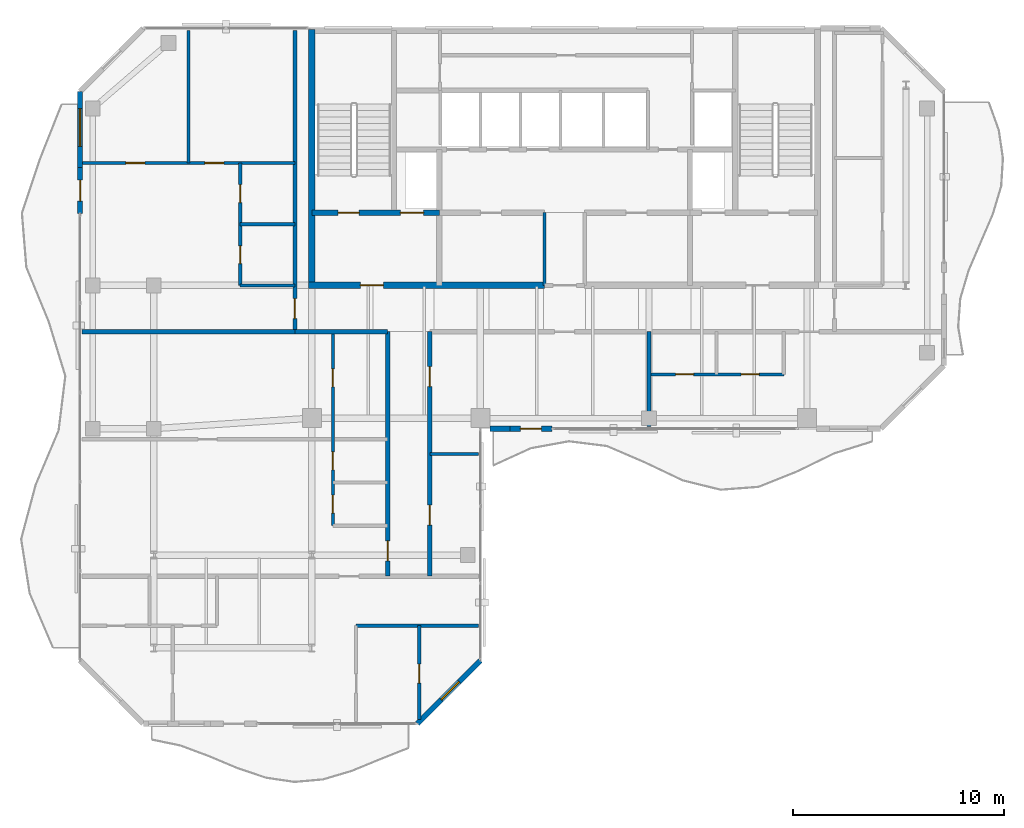
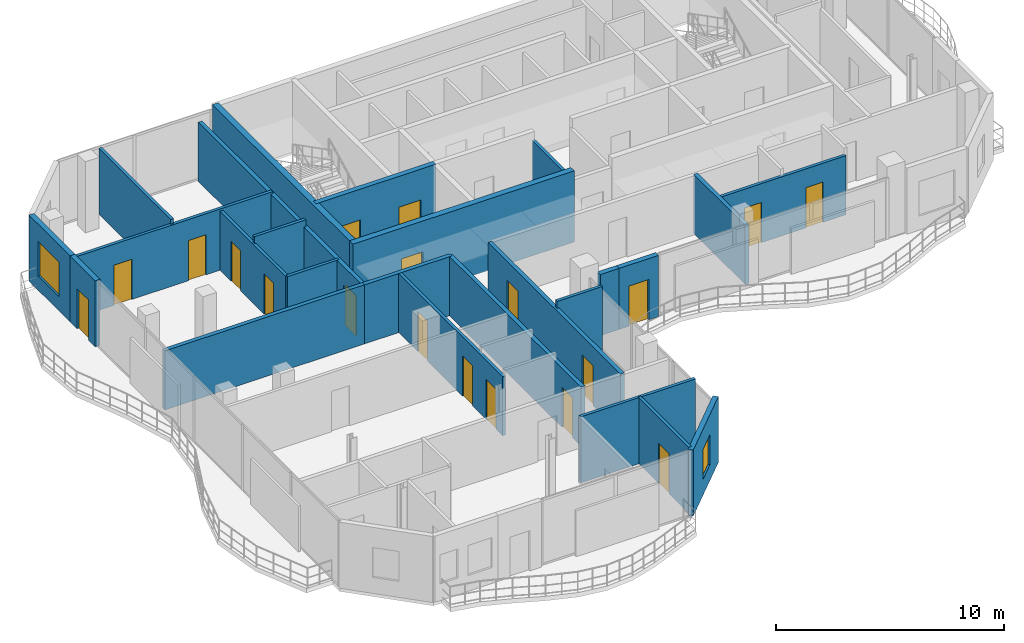
# One storey, part 18 of 22: 25 walls, 19 doors, 2 windows, 21 openings.
"""IFC4 building model written with IfcOpenShell, lengths in metres."""

from ifc_helpers import new_model, si_unit, direction, frame, frame_2d, origin, place, context, subcontext, project, spatial, rectangle, extrude, material, layer, layer_set, type_object, element, fill, save


model = new_model("IFC4")

# Units and contexts
model_context = context("Model", 3, precision=1e-05, world=origin(), true_north=direction((0.0, 1.0)))
body_context = subcontext(model_context, "Body", "Model", "MODEL_VIEW")
ifc_project = project(units=[si_unit("LENGTHUNIT", "METRE"), si_unit("AREAUNIT", "SQUARE_METRE"), si_unit("VOLUMEUNIT", "CUBIC_METRE"), si_unit("PLANEANGLEUNIT", "RADIAN"), si_unit("MASSUNIT", "GRAM", prefix="KILO")], contexts=[model_context])

# Site, building, storey
site_placement = place(None, origin())
site = spatial("IfcSite", under=ifc_project, at=site_placement, CompositionType="ELEMENT")
building_placement = place(site_placement, origin())
building = spatial("IfcBuilding", under=site, at=building_placement, Name="Catumbela Crestline Tower", CompositionType="ELEMENT")
storey_placement = place(building_placement, frame((0.0, 0.0, 256.4)))
storey = spatial("IfcBuildingStorey", under=building, at=storey_placement, Name="L66", CompositionType="ELEMENT", Elevation=256.4)

# Wall, openings, doors
ifc_material_1 = material(Name="Concrete C50/60", Category="concrete")
ifc_layer_1 = layer(ifc_material_1, 0.25, Name="Concrete C50/60")
ifc_layer_set_1 = layer_set([ifc_layer_1], Name="Concrete C50/60")
wall_type_1 = type_object("IfcWallType", Name="CW-250D", PredefinedType="SHEAR", material=ifc_layer_set_1)
wall_1_placement = place(storey_placement, frame((16.0, 34.25, 0.0), z_axis=(0.0, 0.0, 1.0), x_axis=(1.0, 0.0, 0.0)))
wall_1 = element("IfcWall", 1, at=wall_1_placement, inside=storey, type_object=wall_type_1, Name="L66 Structural Core Shear Wall ST1S", PredefinedType="SHEAR", context=body_context, shape_type="SweptSolid", body=[
    extrude(rectangle(XDim=6.05, YDim=0.25, at=frame_2d((3.025, 0.0))), origin(), (0.0, 0.0, 1.0), 3.8),
])
opening_1_placement = place(wall_1_placement, frame((1.25, 0.0, 0.0)))
opening_1 = element("IfcOpeningElement", 2, at=opening_1_placement, cuts=wall_1, Name="Opening DF9-100", PredefinedType="OPENING", context=body_context, shape_type="SweptSolid", body=[
    extrude(rectangle(XDim=1.0, YDim=2.15, at=frame_2d((0.5, 1.075))), frame((0.0, 0.135, 0.0), z_axis=(0.0, -1.0, 0.0), x_axis=(1.0, 0.0, 0.0)), (0.0, 0.0, 1.0), 0.27),
])
opening_2_placement = place(wall_1_placement, frame((4.2, 0.0, 0.0)))
opening_2 = element("IfcOpeningElement", 3, at=opening_2_placement, cuts=wall_1, Name="Opening LD-110", PredefinedType="OPENING", context=body_context, shape_type="SweptSolid", body=[
    extrude(rectangle(XDim=1.1, YDim=2.15, at=frame_2d((0.55, 1.075))), frame((0.0, 0.135, 0.0), z_axis=(0.0, -1.0, 0.0), x_axis=(1.0, 0.0, 0.0)), (0.0, 0.0, 1.0), 0.27),
])
ifc_material_2 = material(Name="Stainless steel EN 1.4401", Category="steel")
door_type_1 = type_object("IfcDoorType", Name="DF9-100", OperationType="NOTDEFINED", PredefinedType="DOOR", material=ifc_material_2)
door_1_placement = place(opening_1_placement, origin())
door_1 = element("IfcDoor", 4, at=door_1_placement, inside=storey, type_object=door_type_1, Name="L66 Interior Door DR-L66-ST01", OperationType="SINGLE_SWING_LEFT", OverallHeight=2.15, OverallWidth=1.0, PredefinedType="DOOR", context=body_context, shape_type="SweptSolid", body=[
    extrude(rectangle(XDim=1.0, YDim=2.15, at=frame_2d((0.5, 1.075))), frame((0.0, 0.025, 0.0), z_axis=(0.0, -1.0, 0.0), x_axis=(1.0, 0.0, 0.0)), (0.0, 0.0, 1.0), 0.05),
])
fill(opening_1, door_1)
door_type_2 = type_object("IfcDoorType", Name="LD-110", OperationType="NOTDEFINED", PredefinedType="DOOR", material=ifc_material_2)
door_2_placement = place(opening_2_placement, origin())
door_2 = element("IfcDoor", 5, at=door_2_placement, inside=storey, type_object=door_type_2, Name="L66 Lift Landing Sliding Door FL-01", OperationType="DOUBLE_DOOR_SLIDING", OverallHeight=2.15, OverallWidth=1.1, PredefinedType="DOOR", context=body_context, shape_type="SweptSolid", body=[
    extrude(rectangle(XDim=1.1, YDim=2.15, at=frame_2d((0.55, 1.075))), frame((0.0, 0.025, 0.0), z_axis=(0.0, -1.0, 0.0), x_axis=(1.0, 0.0, 0.0)), (0.0, 0.0, 1.0), 0.05),
])
fill(opening_2, door_2)

# Wall
ifc_material_3 = material(Name="Concrete C45/55", Category="concrete")
ifc_layer_2 = layer(ifc_material_3, 0.3, Name="Concrete C45/55")
ifc_layer_set_2 = layer_set([ifc_layer_2], Name="Concrete C45/55")
wall_type_2 = type_object("IfcWallType", Name="CW-300C", PredefinedType="SHEAR", material=ifc_layer_set_2)
wall_2_placement = place(storey_placement, frame((16.0, 30.65, 0.0), z_axis=(0.0, 0.0, 1.0), x_axis=(0.0, 1.0, 0.0)))
element("IfcWall", 6, at=wall_2_placement, inside=storey, type_object=wall_type_2, Name="L66 Structural Core Shear Wall W", PredefinedType="SHEAR", context=body_context, shape_type="SweptSolid", body=[
    extrude(rectangle(XDim=12.3, YDim=0.3, at=frame_2d((6.15, 0.0))), origin(), (0.0, 0.0, 1.0), 3.8),
])

# Wall, opening, door
wall_3_placement = place(storey_placement, frame((15.85, 30.8, 0.0), z_axis=(0.0, 0.0, 1.0), x_axis=(1.0, 0.0, 0.0)))
wall_3 = element("IfcWall", 7, at=wall_3_placement, inside=storey, type_object=wall_type_2, Name="L66 Structural Core Shear Wall SW", PredefinedType="SHEAR", context=body_context, shape_type="SweptSolid", body=[
    extrude(rectangle(XDim=11.2, YDim=0.3, at=frame_2d((5.6, 0.0))), origin(), (0.0, 0.0, 1.0), 3.8),
])
opening_3_placement = place(wall_3_placement, frame((2.45, 0.0, 0.0)))
opening_3 = element("IfcOpeningElement", 8, at=opening_3_placement, cuts=wall_3, Name="Opening DF9-110", PredefinedType="OPENING", context=body_context, shape_type="SweptSolid", body=[
    extrude(rectangle(XDim=1.1, YDim=2.15, at=frame_2d((0.55, 1.075))), frame((0.0, 0.16, 0.0), z_axis=(0.0, -1.0, 0.0), x_axis=(1.0, 0.0, 0.0)), (0.0, 0.0, 1.0), 0.32),
])
door_type_3 = type_object("IfcDoorType", Name="DF9-110", OperationType="NOTDEFINED", PredefinedType="DOOR", material=ifc_material_2)
door_3_placement = place(opening_3_placement, origin())
door_3 = element("IfcDoor", 9, at=door_3_placement, inside=storey, type_object=door_type_3, Name="L66 Interior Door DR-L66-FFW-S", OperationType="SINGLE_SWING_LEFT", OverallHeight=2.15, OverallWidth=1.1, PredefinedType="DOOR", context=body_context, shape_type="SweptSolid", body=[
    extrude(rectangle(XDim=1.1, YDim=2.15, at=frame_2d((0.55, 1.075))), frame((0.0, 0.025, 0.0), z_axis=(0.0, -1.0, 0.0), x_axis=(1.0, 0.0, 0.0)), (0.0, 0.0, 1.0), 0.05),
])
fill(opening_3, door_3)

# Wall
ifc_material_4 = material(Name="Acoustic gypsum and mineral-wool partition")
ifc_layer_3 = layer(ifc_material_4, 0.2, Name="Acoustic gypsum and mineral-wool partition")
ifc_layer_set_3 = layer_set([ifc_layer_3], Name="Acoustic gypsum and mineral-wool partition")
wall_type_3 = type_object("IfcWallType", Name="WC-200", PredefinedType="PARTITIONING", material=ifc_layer_set_3)
wall_4_placement = place(storey_placement, frame((15.2, 28.6, 0.0), z_axis=(0.0, 0.0, 1.0), x_axis=(1.0, 0.0, 0.0)))
element("IfcWall", 10, at=wall_4_placement, inside=storey, type_object=wall_type_3, Name="L66 Interior Partition PW-L66-RCWL", PredefinedType="PARTITIONING", context=body_context, shape_type="SweptSolid", body=[
    extrude(rectangle(XDim=4.4, YDim=0.2, at=frame_2d((2.2, 0.0))), origin(), (0.0, 0.0, 1.0), 3.16),
])

# Wall, opening, door
wall_5_placement = place(storey_placement, frame((15.2, 28.6, 0.0), z_axis=(0.0, 0.0, 1.0), x_axis=(0.0, 1.0, 0.0)))
wall_5 = element("IfcWall", 11, at=wall_5_placement, inside=storey, type_object=wall_type_3, Name="L66 Interior Partition PW-L66-NW1-ENT", PredefinedType="PARTITIONING", context=body_context, shape_type="SweptSolid", body=[
    extrude(rectangle(XDim=14.3, YDim=0.2, at=frame_2d((7.15, 0.0))), origin(), (0.0, 0.0, 1.0), 3.16),
])
opening_4_placement = place(wall_5_placement, frame((0.625, 0.0, 0.0)))
opening_4 = element("IfcOpeningElement", 12, at=opening_4_placement, cuts=wall_5, Name="Opening DF6-095", PredefinedType="OPENING", context=body_context, shape_type="SweptSolid", body=[
    extrude(rectangle(XDim=0.95, YDim=2.15, at=frame_2d((0.475, 1.075))), frame((0.0, 0.11, 0.0), z_axis=(0.0, -1.0, 0.0), x_axis=(1.0, 0.0, 0.0)), (0.0, 0.0, 1.0), 0.22),
])
ifc_material_5 = material(Name="Aluminium alloy AW-6060-T66", Category="aluminium")
door_type_4 = type_object("IfcDoorType", Name="DF6-095", OperationType="NOTDEFINED", PredefinedType="DOOR", material=ifc_material_5)
door_4_placement = place(opening_4_placement, origin())
door_4 = element("IfcDoor", 13, at=door_4_placement, inside=storey, type_object=door_type_4, Name="L66 Interior Door DR-L66-NW1-ENT", OperationType="SINGLE_SWING_LEFT", OverallHeight=2.15, OverallWidth=0.95, PredefinedType="DOOR", context=body_context, shape_type="SweptSolid", body=[
    extrude(rectangle(XDim=0.95, YDim=2.15, at=frame_2d((0.475, 1.075))), frame((0.0, 0.025, 0.0), z_axis=(0.0, -1.0, 0.0), x_axis=(1.0, 0.0, 0.0)), (0.0, 0.0, 1.0), 0.05),
])
fill(opening_4, door_4)

wall_6_placement = place(storey_placement, frame((19.6, 17.0, 0.0), z_axis=(0.0, 0.0, 1.0), x_axis=(0.0, 1.0, 0.0)))
wall_6 = element("IfcWall", 14, at=wall_6_placement, inside=storey, type_object=wall_type_3, Name="L66 Interior Partition PW-L66-WL1-ENT", PredefinedType="PARTITIONING", context=body_context, shape_type="SweptSolid", body=[
    extrude(rectangle(XDim=11.6, YDim=0.2, at=frame_2d((5.8, 0.0))), origin(), (0.0, 0.0, 1.0), 3.16),
])
opening_5_placement = place(wall_6_placement, frame((0.723, 0.0, 0.0)))
opening_5 = element("IfcOpeningElement", 15, at=opening_5_placement, cuts=wall_6, Name="Opening DF6-095", PredefinedType="OPENING", context=body_context, shape_type="SweptSolid", body=[
    extrude(rectangle(XDim=0.95, YDim=2.15, at=frame_2d((0.475, 1.075))), frame((0.0, 0.11, 0.0), z_axis=(0.0, -1.0, 0.0), x_axis=(1.0, 0.0, 0.0)), (0.0, 0.0, 1.0), 0.22),
])
door_5_placement = place(opening_5_placement, origin())
door_5 = element("IfcDoor", 16, at=door_5_placement, inside=storey, type_object=door_type_4, Name="L66 Interior Door DR-L66-WL1-ENT", OperationType="SINGLE_SWING_LEFT", OverallHeight=2.15, OverallWidth=0.95, PredefinedType="DOOR", context=body_context, shape_type="SweptSolid", body=[
    extrude(rectangle(XDim=0.95, YDim=2.15, at=frame_2d((0.475, 1.075))), frame((0.0, 0.025, 0.0), z_axis=(0.0, -1.0, 0.0), x_axis=(1.0, 0.0, 0.0)), (0.0, 0.0, 1.0), 0.05),
])
fill(opening_5, door_5)

# Wall, openings, doors
wall_7_placement = place(storey_placement, frame((21.6, 17.0, 0.0), z_axis=(0.0, 0.0, 1.0), x_axis=(0.0, 1.0, 0.0)))
wall_7 = element("IfcWall", 17, at=wall_7_placement, inside=storey, type_object=wall_type_3, Name="L66 Interior Partition PW-L66-RWMT-ENT", PredefinedType="PARTITIONING", context=body_context, shape_type="SweptSolid", body=[
    extrude(rectangle(XDim=11.6, YDim=0.2, at=frame_2d((5.8, 0.0))), origin(), (0.0, 0.0, 1.0), 3.16),
])
opening_6_placement = place(wall_7_placement, frame((8.9941, 0.0, 0.0)))
opening_6 = element("IfcOpeningElement", 18, at=opening_6_placement, cuts=wall_7, Name="Opening DF6-095", PredefinedType="OPENING", context=body_context, shape_type="SweptSolid", body=[
    extrude(rectangle(XDim=0.95, YDim=2.15, at=frame_2d((0.475, 1.075))), frame((0.0, 0.11, 0.0), z_axis=(0.0, -1.0, 0.0), x_axis=(1.0, 0.0, 0.0)), (0.0, 0.0, 1.0), 0.22),
])
opening_7_placement = place(wall_7_placement, frame((2.425, 0.0, 0.0)))
opening_7 = element("IfcOpeningElement", 19, at=opening_7_placement, cuts=wall_7, Name="Opening DF6-095", PredefinedType="OPENING", context=body_context, shape_type="SweptSolid", body=[
    extrude(rectangle(XDim=0.95, YDim=2.15, at=frame_2d((0.475, 1.075))), frame((0.0, 0.11, 0.0), z_axis=(0.0, -1.0, 0.0), x_axis=(1.0, 0.0, 0.0)), (0.0, 0.0, 1.0), 0.22),
])
door_6_placement = place(opening_6_placement, origin())
door_6 = element("IfcDoor", 20, at=door_6_placement, inside=storey, type_object=door_type_4, Name="L66 Interior Door DR-L66-RWMT-ENT", OperationType="SINGLE_SWING_LEFT", OverallHeight=2.15, OverallWidth=0.95, PredefinedType="DOOR", context=body_context, shape_type="SweptSolid", body=[
    extrude(rectangle(XDim=0.95, YDim=2.15, at=frame_2d((0.475, 1.075))), frame((0.0, 0.025, 0.0), z_axis=(0.0, -1.0, 0.0), x_axis=(1.0, 0.0, 0.0)), (0.0, 0.0, 1.0), 0.05),
])
fill(opening_6, door_6)
door_7_placement = place(opening_7_placement, origin())
door_7 = element("IfcDoor", 21, at=door_7_placement, inside=storey, type_object=door_type_4, Name="L66 Interior Door DR-L66-RWLN-ENT", OperationType="SINGLE_SWING_RIGHT", OverallHeight=2.15, OverallWidth=0.95, PredefinedType="DOOR", context=body_context, shape_type="SweptSolid", body=[
    extrude(rectangle(XDim=0.95, YDim=2.15, at=frame_2d((0.475, 1.075))), frame((0.0, 0.025, 0.0), z_axis=(0.0, -1.0, 0.0), x_axis=(1.0, 0.0, 0.0)), (0.0, 0.0, 1.0), 0.05),
])
fill(opening_7, door_7)

# Wall, opening, window
ifc_material_6 = material(Name="Angolan grey-ochre granite", Category="masonry")
ifc_layer_4 = layer(ifc_material_6, 0.25, Name="Angolan grey-ochre granite")
ifc_layer_set_4 = layer_set([ifc_layer_4], Name="Angolan grey-ochre granite")
wall_type_4 = type_object("IfcWallType", Name="WE-250", PredefinedType="STANDARD", material=ifc_layer_set_4)
wall_8_placement = place(storey_placement, frame((21.0, 10.0, 0.0), z_axis=(0.0, 0.0, 1.0), x_axis=(0.707106781187, 0.707106781187, 0.0)))
wall_8 = element("IfcWall", 22, at=wall_8_placement, inside=storey, type_object=wall_type_4, Name="L66 Granite Punched Window Wall 1-1", PredefinedType="STANDARD", context=body_context, shape_type="SweptSolid", body=[
    extrude(rectangle(XDim=4.2426, YDim=0.25, at=frame_2d((2.1213, 0.0))), origin(), (0.0, 0.0, 1.0), 3.53),
])
opening_8_placement = place(wall_8_placement, frame((1.6173, 0.0, 0.85)))
opening_8 = element("IfcOpeningElement", 23, at=opening_8_placement, cuts=wall_8, Name="Opening WN-02", PredefinedType="OPENING", context=body_context, shape_type="SweptSolid", body=[
    extrude(rectangle(XDim=1.2, YDim=1.6, at=frame_2d((0.6, 0.8))), frame((0.0, 0.135, 0.0), z_axis=(0.0, -1.0, 0.0), x_axis=(1.0, 0.0, 0.0)), (0.0, 0.0, 1.0), 0.27),
])
ifc_material_7 = material(Name="Low-E laminated solar-control double glazing", Category="glass")
window_type_1 = type_object("IfcWindowType", Name="WO-1200", PartitioningType="SINGLE_PANEL", PredefinedType="WINDOW", material=ifc_material_7)
window_1_placement = place(opening_8_placement, origin())
window_1 = element("IfcWindow", 24, at=window_1_placement, inside=storey, type_object=window_type_1, Name="L66 Facade Vision Window 506", OverallHeight=1.6, OverallWidth=1.2, PartitioningType="SINGLE_PANEL", PredefinedType="WINDOW", context=body_context, shape_type="SweptSolid", body=[
    extrude(rectangle(XDim=1.2, YDim=1.6, at=frame_2d((0.6, 0.8))), frame((0.0, 0.03, 0.0), z_axis=(0.0, -1.0, 0.0), x_axis=(1.0, 0.0, 0.0)), (0.0, 0.0, 1.0), 0.06),
])
fill(opening_8, window_1)

# Wall, opening, door
wall_9_placement = place(storey_placement, frame((25.4, 24.0, 0.0), z_axis=(0.0, 0.0, 1.0), x_axis=(1.0, 0.0, 0.0)))
wall_9 = element("IfcWall", 25, at=wall_9_placement, inside=storey, type_object=wall_type_4, Name="L66 Exterior Threshold Portal Wall DR-L66-WBAL-1", PredefinedType="STANDARD", context=body_context, shape_type="SweptSolid", body=[
    extrude(rectangle(XDim=2.0, YDim=0.25, at=frame_2d((1.0, 0.0))), origin(), (0.0, 0.0, 1.0), 3.27),
])
opening_9_placement = place(wall_9_placement, frame((0.5, 0.0, 0.0)))
opening_9 = element("IfcOpeningElement", 26, at=opening_9_placement, cuts=wall_9, Name="Opening DB-L66-1", PredefinedType="OPENING", context=body_context, shape_type="SweptSolid", body=[
    extrude(rectangle(XDim=1.0, YDim=2.15, at=frame_2d((0.5, 1.075))), frame((0.0, 0.135, 0.0), z_axis=(0.0, -1.0, 0.0), x_axis=(1.0, 0.0, 0.0)), (0.0, 0.0, 1.0), 0.27),
])
door_type_5 = type_object("IfcDoorType", Name="DB-1000", OperationType="NOTDEFINED", PredefinedType="DOOR", material=ifc_material_5)
door_8_placement = place(opening_9_placement, origin())
door_8 = element("IfcDoor", 27, at=door_8_placement, inside=storey, type_object=door_type_5, Name="L66 Wave Balcony Terrace Door 1", OperationType="SINGLE_SWING_RIGHT", OverallHeight=2.15, OverallWidth=1.0, PredefinedType="DOOR", context=body_context, shape_type="SweptSolid", body=[
    extrude(rectangle(XDim=1.0, YDim=2.15, at=frame_2d((0.5, 1.075))), frame((0.0, 0.025, 0.0), z_axis=(0.0, -1.0, 0.0), x_axis=(1.0, 0.0, 0.0)), (0.0, 0.0, 1.0), 0.05),
])
fill(opening_9, door_8)

# Wall
wall_10_placement = place(storey_placement, frame((24.45, 24.0, 0.0), z_axis=(0.0, 0.0, 1.0), x_axis=(1.0, 0.0, 0.0)))
element("IfcWall", 28, at=wall_10_placement, inside=storey, type_object=wall_type_4, Name="L66 Granite Punched Window Wall 3-1", PredefinedType="STANDARD", context=body_context, shape_type="SweptSolid", body=[
    extrude(rectangle(XDim=0.95, YDim=0.25, at=frame_2d((0.475, 0.0))), origin(), (0.0, 0.0, 1.0), 3.27),
])

# Wall, opening, door
wall_11_placement = place(storey_placement, frame((5.0, 36.4, 0.0), z_axis=(0.0, 0.0, 1.0), x_axis=(0.0, -1.0, 0.0)))
wall_11 = element("IfcWall", 29, at=wall_11_placement, inside=storey, type_object=wall_type_4, Name="L66 Exterior Threshold Portal Wall DR-L66-WBAL-4", PredefinedType="STANDARD", context=body_context, shape_type="SweptSolid", body=[
    extrude(rectangle(XDim=2.2, YDim=0.25, at=frame_2d((1.1, 0.0))), origin(), (0.0, 0.0, 1.0), 3.53),
])
opening_10_placement = place(wall_11_placement, frame((0.6, 0.0, 0.0)))
opening_10 = element("IfcOpeningElement", 30, at=opening_10_placement, cuts=wall_11, Name="Opening DB-L66-4", PredefinedType="OPENING", context=body_context, shape_type="SweptSolid", body=[
    extrude(rectangle(XDim=1.0, YDim=2.15, at=frame_2d((0.5, 1.075))), frame((0.0, 0.135, 0.0), z_axis=(0.0, -1.0, 0.0), x_axis=(1.0, 0.0, 0.0)), (0.0, 0.0, 1.0), 0.27),
])
door_9_placement = place(opening_10_placement, origin())
door_9 = element("IfcDoor", 31, at=door_9_placement, inside=storey, type_object=door_type_5, Name="L66 Wave Balcony Terrace Door 4", OperationType="SINGLE_SWING_LEFT", OverallHeight=2.15, OverallWidth=1.0, PredefinedType="DOOR", context=body_context, shape_type="SweptSolid", body=[
    extrude(rectangle(XDim=1.0, YDim=2.15, at=frame_2d((0.5, 1.075))), frame((0.0, 0.025, 0.0), z_axis=(0.0, -1.0, 0.0), x_axis=(1.0, 0.0, 0.0)), (0.0, 0.0, 1.0), 0.05),
])
fill(opening_10, door_9)

# Wall, opening, window
wall_12_placement = place(storey_placement, frame((5.0, 40.0, 0.0), z_axis=(0.0, 0.0, 1.0), x_axis=(0.0, -1.0, 0.0)))
wall_12 = element("IfcWall", 32, at=wall_12_placement, inside=storey, type_object=wall_type_4, Name="L66 Granite Punched Window Wall 9-1", PredefinedType="STANDARD", context=body_context, shape_type="SweptSolid", body=[
    extrude(rectangle(XDim=3.6, YDim=0.25, at=frame_2d((1.8, 0.0))), origin(), (0.0, 0.0, 1.0), 3.53),
])
opening_11_placement = place(wall_12_placement, frame((0.806, 0.0, 0.75)))
opening_11 = element("IfcOpeningElement", 33, at=opening_11_placement, cuts=wall_12, Name="Opening WN-01", PredefinedType="OPENING", context=body_context, shape_type="SweptSolid", body=[
    extrude(rectangle(XDim=1.8, YDim=1.85, at=frame_2d((0.9, 0.925))), frame((0.0, 0.135, 0.0), z_axis=(0.0, -1.0, 0.0), x_axis=(1.0, 0.0, 0.0)), (0.0, 0.0, 1.0), 0.27),
])
window_type_2 = type_object("IfcWindowType", Name="WF-1800", PartitioningType="SINGLE_PANEL", PredefinedType="WINDOW", material=ifc_material_7)
window_2_placement = place(opening_11_placement, origin())
window_2 = element("IfcWindow", 34, at=window_2_placement, inside=storey, type_object=window_type_2, Name="L66 Facade Vision Window 513", OverallHeight=1.85, OverallWidth=1.8, PartitioningType="SINGLE_PANEL", PredefinedType="WINDOW", context=body_context, shape_type="SweptSolid", body=[
    extrude(rectangle(XDim=1.8, YDim=1.85, at=frame_2d((0.9, 0.925))), frame((0.0, 0.03, 0.0), z_axis=(0.0, -1.0, 0.0), x_axis=(1.0, 0.0, 0.0)), (0.0, 0.0, 1.0), 0.06),
])
fill(opening_11, window_2)

# Walls
ifc_layer_5 = layer(ifc_material_4, 0.15, Name="Acoustic gypsum and mineral-wool partition")
ifc_layer_set_5 = layer_set([ifc_layer_5], Name="Acoustic gypsum and mineral-wool partition")
wall_type_5 = type_object("IfcWallType", Name="WP-150", PredefinedType="PARTITIONING", material=ifc_layer_set_5)
wall_13_placement = place(storey_placement, frame((12.6, 30.8, 0.0), z_axis=(0.0, 0.0, 1.0), x_axis=(1.0, 0.0, 0.0)))
element("IfcWall", 35, at=wall_13_placement, inside=storey, type_object=wall_type_5, Name="L66 Interior Partition PW-L66-NW1-KBS", PredefinedType="PARTITIONING", context=body_context, shape_type="SweptSolid", body=[
    extrude(rectangle(XDim=2.6, YDim=0.15, at=frame_2d((1.3, 0.0))), origin(), (0.0, 0.0, 1.0), 3.16),
])
wall_14_placement = place(storey_placement, frame((12.6, 33.704, 0.0), z_axis=(0.0, 0.0, 1.0), x_axis=(1.0, 0.0, 0.0)))
element("IfcWall", 36, at=wall_14_placement, inside=storey, type_object=wall_type_5, Name="L66 Interior Partition PW-L66-NW1-KBM", PredefinedType="PARTITIONING", context=body_context, shape_type="SweptSolid", body=[
    extrude(rectangle(XDim=2.6, YDim=0.15, at=frame_2d((1.3, 0.0))), origin(), (0.0, 0.0, 1.0), 3.53),
])

# Wall, openings, doors
wall_15_placement = place(storey_placement, frame((5.1, 36.608, 0.0), z_axis=(0.0, 0.0, 1.0), x_axis=(1.0, 0.0, 0.0)))
wall_15 = element("IfcWall", 37, at=wall_15_placement, inside=storey, type_object=wall_type_5, Name="L66 Interior Partition PW-L66-NW1-KBN", PredefinedType="PARTITIONING", context=body_context, shape_type="SweptSolid", body=[
    extrude(rectangle(XDim=10.1, YDim=0.15, at=frame_2d((5.05, 0.0))), origin(), (0.0, 0.0, 1.0), 3.27),
])
opening_12_placement = place(wall_15_placement, frame((2.075, 0.0, 0.0)))
opening_12 = element("IfcOpeningElement", 38, at=opening_12_placement, cuts=wall_15, Name="Opening DI-090", PredefinedType="OPENING", context=body_context, shape_type="SweptSolid", body=[
    extrude(rectangle(XDim=0.9, YDim=2.15, at=frame_2d((0.45, 1.075))), frame((0.0, 0.085, 0.0), z_axis=(0.0, -1.0, 0.0), x_axis=(1.0, 0.0, 0.0)), (0.0, 0.0, 1.0), 0.17),
])
opening_13_placement = place(wall_15_placement, frame((5.825, 0.0, 0.0)))
opening_13 = element("IfcOpeningElement", 39, at=opening_13_placement, cuts=wall_15, Name="Opening DI-090", PredefinedType="OPENING", context=body_context, shape_type="SweptSolid", body=[
    extrude(rectangle(XDim=0.9, YDim=2.15, at=frame_2d((0.45, 1.075))), frame((0.0, 0.085, 0.0), z_axis=(0.0, -1.0, 0.0), x_axis=(1.0, 0.0, 0.0)), (0.0, 0.0, 1.0), 0.17),
])
door_type_6 = type_object("IfcDoorType", Name="DI-090", OperationType="NOTDEFINED", PredefinedType="DOOR", material=ifc_material_5)
door_10_placement = place(opening_12_placement, origin())
door_10 = element("IfcDoor", 40, at=door_10_placement, inside=storey, type_object=door_type_6, Name="L66 Interior Door DR-L66-NW1-BD1", OperationType="SINGLE_SWING_LEFT", OverallHeight=2.15, OverallWidth=0.9, PredefinedType="DOOR", context=body_context, shape_type="SweptSolid", body=[
    extrude(rectangle(XDim=0.9, YDim=2.15, at=frame_2d((0.45, 1.075))), frame((0.0, 0.025, 0.0), z_axis=(0.0, -1.0, 0.0), x_axis=(1.0, 0.0, 0.0)), (0.0, 0.0, 1.0), 0.05),
])
fill(opening_12, door_10)
door_11_placement = place(opening_13_placement, origin())
door_11 = element("IfcDoor", 41, at=door_11_placement, inside=storey, type_object=door_type_6, Name="L66 Interior Door DR-L66-NW1-BD2", OperationType="SINGLE_SWING_RIGHT", OverallHeight=2.15, OverallWidth=0.9, PredefinedType="DOOR", context=body_context, shape_type="SweptSolid", body=[
    extrude(rectangle(XDim=0.9, YDim=2.15, at=frame_2d((0.45, 1.075))), frame((0.0, 0.025, 0.0), z_axis=(0.0, -1.0, 0.0), x_axis=(1.0, 0.0, 0.0)), (0.0, 0.0, 1.0), 0.05),
])
fill(opening_13, door_11)

wall_16_placement = place(storey_placement, frame((12.6, 30.8, 0.0), z_axis=(0.0, 0.0, 1.0), x_axis=(0.0, 1.0, 0.0)))
wall_16 = element("IfcWall", 42, at=wall_16_placement, inside=storey, type_object=wall_type_5, Name="L66 Interior Partition PW-L66-NW1-LK", PredefinedType="PARTITIONING", context=body_context, shape_type="SweptSolid", body=[
    extrude(rectangle(XDim=5.808, YDim=0.15, at=frame_2d((2.904, 0.0))), origin(), (0.0, 0.0, 1.0), 3.16),
])
opening_14_placement = place(wall_16_placement, frame((1.027, 0.0, 0.0)))
opening_14 = element("IfcOpeningElement", 43, at=opening_14_placement, cuts=wall_16, Name="Opening DI-085", PredefinedType="OPENING", context=body_context, shape_type="SweptSolid", body=[
    extrude(rectangle(XDim=0.85, YDim=2.15, at=frame_2d((0.425, 1.075))), frame((0.0, 0.085, 0.0), z_axis=(0.0, -1.0, 0.0), x_axis=(1.0, 0.0, 0.0)), (0.0, 0.0, 1.0), 0.17),
])
opening_15_placement = place(wall_16_placement, frame((3.931, 0.0, 0.0)))
opening_15 = element("IfcOpeningElement", 44, at=opening_15_placement, cuts=wall_16, Name="Opening DI-085", PredefinedType="OPENING", context=body_context, shape_type="SweptSolid", body=[
    extrude(rectangle(XDim=0.85, YDim=2.15, at=frame_2d((0.425, 1.075))), frame((0.0, 0.085, 0.0), z_axis=(0.0, -1.0, 0.0), x_axis=(1.0, 0.0, 0.0)), (0.0, 0.0, 1.0), 0.17),
])
door_type_7 = type_object("IfcDoorType", Name="DI-085", OperationType="NOTDEFINED", PredefinedType="DOOR", material=ifc_material_5)
door_12_placement = place(opening_14_placement, origin())
door_12 = element("IfcDoor", 45, at=door_12_placement, inside=storey, type_object=door_type_7, Name="L66 Interior Door DR-L66-NW1-KIT", OperationType="SINGLE_SWING_LEFT", OverallHeight=2.15, OverallWidth=0.85, PredefinedType="DOOR", context=body_context, shape_type="SweptSolid", body=[
    extrude(rectangle(XDim=0.85, YDim=2.15, at=frame_2d((0.425, 1.075))), frame((0.0, 0.025, 0.0), z_axis=(0.0, -1.0, 0.0), x_axis=(1.0, 0.0, 0.0)), (0.0, 0.0, 1.0), 0.05),
])
fill(opening_14, door_12)
door_13_placement = place(opening_15_placement, origin())
door_13 = element("IfcDoor", 46, at=door_13_placement, inside=storey, type_object=door_type_7, Name="L66 Interior Door DR-L66-NW1-BTH", OperationType="SINGLE_SWING_RIGHT", OverallHeight=2.15, OverallWidth=0.85, PredefinedType="DOOR", context=body_context, shape_type="SweptSolid", body=[
    extrude(rectangle(XDim=0.85, YDim=2.15, at=frame_2d((0.425, 1.075))), frame((0.0, 0.025, 0.0), z_axis=(0.0, -1.0, 0.0), x_axis=(1.0, 0.0, 0.0)), (0.0, 0.0, 1.0), 0.05),
])
fill(opening_15, door_13)

# Wall
wall_17_placement = place(storey_placement, frame((10.15, 36.608, 0.0), z_axis=(0.0, 0.0, 1.0), x_axis=(0.0, 1.0, 0.0)))
element("IfcWall", 47, at=wall_17_placement, inside=storey, type_object=wall_type_5, Name="L66 Interior Partition PW-L66-NW1-BDP", PredefinedType="PARTITIONING", context=body_context, shape_type="SweptSolid", body=[
    extrude(rectangle(XDim=6.292, YDim=0.15, at=frame_2d((3.146, 0.0))), origin(), (0.0, 0.0, 1.0), 3.53),
])

# Wall, openings, doors
wall_18_placement = place(storey_placement, frame((32.0, 26.576, 0.0), z_axis=(0.0, 0.0, 1.0), x_axis=(1.0, 0.0, 0.0)))
wall_18 = element("IfcWall", 48, at=wall_18_placement, inside=storey, type_object=wall_type_5, Name="L66 Interior Partition PW-L66-S2-KBD1", PredefinedType="PARTITIONING", context=body_context, shape_type="SweptSolid", body=[
    extrude(rectangle(XDim=6.4, YDim=0.15, at=frame_2d((3.2, 0.0))), origin(), (0.0, 0.0, 1.0), 3.16),
])
opening_16_placement = place(wall_18_placement, frame((1.2663, 0.0, 0.0)))
opening_16 = element("IfcOpeningElement", 49, at=opening_16_placement, cuts=wall_18, Name="Opening DI-085", PredefinedType="OPENING", context=body_context, shape_type="SweptSolid", body=[
    extrude(rectangle(XDim=0.85, YDim=2.15, at=frame_2d((0.425, 1.075))), frame((0.0, 0.085, 0.0), z_axis=(0.0, -1.0, 0.0), x_axis=(1.0, 0.0, 0.0)), (0.0, 0.0, 1.0), 0.17),
])
opening_17_placement = place(wall_18_placement, frame((4.375, 0.0, 0.0)))
opening_17 = element("IfcOpeningElement", 50, at=opening_17_placement, cuts=wall_18, Name="Opening DI-085", PredefinedType="OPENING", context=body_context, shape_type="SweptSolid", body=[
    extrude(rectangle(XDim=0.85, YDim=2.15, at=frame_2d((0.425, 1.075))), frame((0.0, 0.085, 0.0), z_axis=(0.0, -1.0, 0.0), x_axis=(1.0, 0.0, 0.0)), (0.0, 0.0, 1.0), 0.17),
])
door_14_placement = place(opening_16_placement, origin())
door_14 = element("IfcDoor", 51, at=door_14_placement, inside=storey, type_object=door_type_7, Name="L66 Interior Door DR-L66-S2-KIT", OperationType="SINGLE_SWING_LEFT", OverallHeight=2.15, OverallWidth=0.85, PredefinedType="DOOR", context=body_context, shape_type="SweptSolid", body=[
    extrude(rectangle(XDim=0.85, YDim=2.15, at=frame_2d((0.425, 1.075))), frame((0.0, 0.025, 0.0), z_axis=(0.0, -1.0, 0.0), x_axis=(1.0, 0.0, 0.0)), (0.0, 0.0, 1.0), 0.05),
])
fill(opening_16, door_14)
door_15_placement = place(opening_17_placement, origin())
door_15 = element("IfcDoor", 52, at=door_15_placement, inside=storey, type_object=door_type_7, Name="L66 Interior Door DR-L66-S2-BTH", OperationType="SINGLE_SWING_RIGHT", OverallHeight=2.15, OverallWidth=0.85, PredefinedType="DOOR", context=body_context, shape_type="SweptSolid", body=[
    extrude(rectangle(XDim=0.85, YDim=2.15, at=frame_2d((0.425, 1.075))), frame((0.0, 0.025, 0.0), z_axis=(0.0, -1.0, 0.0), x_axis=(1.0, 0.0, 0.0)), (0.0, 0.0, 1.0), 0.05),
])
fill(opening_17, door_15)

wall_19_placement = place(storey_placement, frame((17.0, 19.396, 0.0), z_axis=(0.0, 0.0, 1.0), x_axis=(0.0, 1.0, 0.0)))
wall_19 = element("IfcWall", 53, at=wall_19_placement, inside=storey, type_object=wall_type_5, Name="L66 Interior Partition PW-L66-WL1-LK", PredefinedType="PARTITIONING", context=body_context, shape_type="SweptSolid", body=[
    extrude(rectangle(XDim=9.204, YDim=0.15, at=frame_2d((4.602, 0.0))), origin(), (0.0, 0.0, 1.0), 3.16),
])
opening_18_placement = place(wall_19_placement, frame((0.6, 0.0, 0.0)))
opening_18 = element("IfcOpeningElement", 54, at=opening_18_placement, cuts=wall_19, Name="Opening DI-085", PredefinedType="OPENING", context=body_context, shape_type="SweptSolid", body=[
    extrude(rectangle(XDim=0.85, YDim=2.15, at=frame_2d((0.425, 1.075))), frame((0.0, 0.085, 0.0), z_axis=(0.0, -1.0, 0.0), x_axis=(1.0, 0.0, 0.0)), (0.0, 0.0, 1.0), 0.17),
])
opening_19_placement = place(wall_19_placement, frame((2.65, 0.0, 0.0)))
opening_19 = element("IfcOpeningElement", 55, at=opening_19_placement, cuts=wall_19, Name="Opening DI-085", PredefinedType="OPENING", context=body_context, shape_type="SweptSolid", body=[
    extrude(rectangle(XDim=0.85, YDim=2.15, at=frame_2d((0.425, 1.075))), frame((0.0, 0.085, 0.0), z_axis=(0.0, -1.0, 0.0), x_axis=(1.0, 0.0, 0.0)), (0.0, 0.0, 1.0), 0.17),
])
opening_20_placement = place(wall_19_placement, frame((6.5927, 0.0, 0.0)))
opening_20 = element("IfcOpeningElement", 56, at=opening_20_placement, cuts=wall_19, Name="Opening DI-085", PredefinedType="OPENING", context=body_context, shape_type="SweptSolid", body=[
    extrude(rectangle(XDim=0.85, YDim=2.15, at=frame_2d((0.425, 1.075))), frame((0.0, 0.085, 0.0), z_axis=(0.0, -1.0, 0.0), x_axis=(1.0, 0.0, 0.0)), (0.0, 0.0, 1.0), 0.17),
])
door_16_placement = place(opening_18_placement, origin())
door_16 = element("IfcDoor", 57, at=door_16_placement, inside=storey, type_object=door_type_7, Name="L66 Interior Door DR-L66-WL1-KIT", OperationType="SINGLE_SWING_LEFT", OverallHeight=2.15, OverallWidth=0.85, PredefinedType="DOOR", context=body_context, shape_type="SweptSolid", body=[
    extrude(rectangle(XDim=0.85, YDim=2.15, at=frame_2d((0.425, 1.075))), frame((0.0, 0.025, 0.0), z_axis=(0.0, -1.0, 0.0), x_axis=(1.0, 0.0, 0.0)), (0.0, 0.0, 1.0), 0.05),
])
fill(opening_18, door_16)
door_17_placement = place(opening_19_placement, origin())
door_17 = element("IfcDoor", 58, at=door_17_placement, inside=storey, type_object=door_type_7, Name="L66 Interior Door DR-L66-WL1-BTH", OperationType="SINGLE_SWING_RIGHT", OverallHeight=2.15, OverallWidth=0.85, PredefinedType="DOOR", context=body_context, shape_type="SweptSolid", body=[
    extrude(rectangle(XDim=0.85, YDim=2.15, at=frame_2d((0.425, 1.075))), frame((0.0, 0.025, 0.0), z_axis=(0.0, -1.0, 0.0), x_axis=(1.0, 0.0, 0.0)), (0.0, 0.0, 1.0), 0.05),
])
fill(opening_19, door_17)
door_18_placement = place(opening_20_placement, origin())
door_18 = element("IfcDoor", 59, at=door_18_placement, inside=storey, type_object=door_type_7, Name="L66 Interior Door DR-L66-WL1-WIR", OperationType="SINGLE_SWING_LEFT", OverallHeight=2.15, OverallWidth=0.85, PredefinedType="DOOR", context=body_context, shape_type="SweptSolid", body=[
    extrude(rectangle(XDim=0.85, YDim=2.15, at=frame_2d((0.425, 1.075))), frame((0.0, 0.025, 0.0), z_axis=(0.0, -1.0, 0.0), x_axis=(1.0, 0.0, 0.0)), (0.0, 0.0, 1.0), 0.05),
])
fill(opening_20, door_18)

# Walls
wall_20_placement = place(storey_placement, frame((21.6, 22.8, 0.0), z_axis=(0.0, 0.0, 1.0), x_axis=(1.0, 0.0, 0.0)))
element("IfcWall", 60, at=wall_20_placement, inside=storey, type_object=wall_type_5, Name="L66 Interior Partition PW-L66-RWRP3", PredefinedType="PARTITIONING", context=body_context, shape_type="SweptSolid", body=[
    extrude(rectangle(XDim=2.3, YDim=0.15, at=frame_2d((1.15, 0.0))), origin(), (0.0, 0.0, 1.0), 3.53),
])
wall_21_placement = place(storey_placement, frame((18.1, 14.65, 0.0), z_axis=(0.0, 0.0, 1.0), x_axis=(1.0, 0.0, 0.0)))
element("IfcWall", 61, at=wall_21_placement, inside=storey, type_object=wall_type_5, Name="L66 Interior Partition PW-L66-SH1-BDRH", PredefinedType="PARTITIONING", context=body_context, shape_type="SweptSolid", body=[
    extrude(rectangle(XDim=5.8, YDim=0.15, at=frame_2d((2.9, 0.0))), origin(), (0.0, 0.0, 1.0), 3.53),
])

# Wall, opening, door
wall_22_placement = place(storey_placement, frame((21.1, 10.2, 0.0), z_axis=(0.0, 0.0, 1.0), x_axis=(0.0, 1.0, 0.0)))
wall_22 = element("IfcWall", 62, at=wall_22_placement, inside=storey, type_object=wall_type_5, Name="L66 Interior Partition PW-L66-SH1-BDR", PredefinedType="PARTITIONING", context=body_context, shape_type="SweptSolid", body=[
    extrude(rectangle(XDim=4.45, YDim=0.15, at=frame_2d((2.225, 0.0))), origin(), (0.0, 0.0, 1.0), 3.53),
])
opening_21_placement = place(wall_22_placement, frame((1.725, 0.0, 0.0)))
opening_21 = element("IfcOpeningElement", 63, at=opening_21_placement, cuts=wall_22, Name="Opening DI-090", PredefinedType="OPENING", context=body_context, shape_type="SweptSolid", body=[
    extrude(rectangle(XDim=0.9, YDim=2.15, at=frame_2d((0.45, 1.075))), frame((0.0, 0.085, 0.0), z_axis=(0.0, -1.0, 0.0), x_axis=(1.0, 0.0, 0.0)), (0.0, 0.0, 1.0), 0.17),
])
door_19_placement = place(opening_21_placement, origin())
door_19 = element("IfcDoor", 64, at=door_19_placement, inside=storey, type_object=door_type_6, Name="L66 Interior Door DR-L66-SH1-BD2", OperationType="SINGLE_SWING_RIGHT", OverallHeight=2.15, OverallWidth=0.9, PredefinedType="DOOR", context=body_context, shape_type="SweptSolid", body=[
    extrude(rectangle(XDim=0.9, YDim=2.15, at=frame_2d((0.45, 1.075))), frame((0.0, 0.025, 0.0), z_axis=(0.0, -1.0, 0.0), x_axis=(1.0, 0.0, 0.0)), (0.0, 0.0, 1.0), 0.05),
])
fill(opening_21, door_19)

# Walls
ifc_layer_6 = layer(ifc_material_4, 0.2, Name="Acoustic gypsum and mineral-wool partition")
ifc_layer_set_6 = layer_set([ifc_layer_6], Name="Acoustic gypsum and mineral-wool partition")
wall_type_6 = type_object("IfcWallType", Name="WY-200", PredefinedType="PARTITIONING", material=ifc_layer_set_6)
wall_23_placement = place(storey_placement, frame((5.1, 28.6, 0.0), z_axis=(0.0, 0.0, 1.0), x_axis=(1.0, 0.0, 0.0)))
element("IfcWall", 65, at=wall_23_placement, inside=storey, type_object=wall_type_6, Name="L66 Interior Partition PW-L66-RCWNW", PredefinedType="PARTITIONING", context=body_context, shape_type="SweptSolid", body=[
    extrude(rectangle(XDim=10.1, YDim=0.2, at=frame_2d((5.05, 0.0))), origin(), (0.0, 0.0, 1.0), 3.16),
])
wall_24_placement = place(storey_placement, frame((32.0, 24.1, 0.0), z_axis=(0.0, 0.0, 1.0), x_axis=(0.0, 1.0, 0.0)))
element("IfcWall", 66, at=wall_24_placement, inside=storey, type_object=wall_type_6, Name="L66 Interior Partition PW-L66-RSPP-2", PredefinedType="PARTITIONING", context=body_context, shape_type="SweptSolid", body=[
    extrude(rectangle(XDim=4.5, YDim=0.2, at=frame_2d((2.25, 0.0))), origin(), (0.0, 0.0, 1.0), 3.16),
])
ifc_layer_7 = layer(ifc_material_4, 0.15, Name="Acoustic gypsum and mineral-wool partition")
ifc_layer_set_7 = layer_set([ifc_layer_7], Name="Acoustic gypsum and mineral-wool partition")
wall_type_7 = type_object("IfcWallType", Name="WS-150", PredefinedType="PLUMBINGWALL", material=ifc_layer_set_7)
wall_25_placement = place(storey_placement, frame((27.05, 30.8, 0.0), z_axis=(0.0, 0.0, 1.0), x_axis=(0.0, 1.0, 0.0)))
element("IfcWall", 67, at=wall_25_placement, inside=storey, type_object=wall_type_7, Name="L66 Interior Partition PW-L66-THRW", PredefinedType="PLUMBINGWALL", context=body_context, shape_type="SweptSolid", body=[
    extrude(rectangle(XDim=3.45, YDim=0.15, at=frame_2d((1.725, 0.0))), origin(), (0.0, 0.0, 1.0), 3.28),
])

save(model, "model.ifc")
